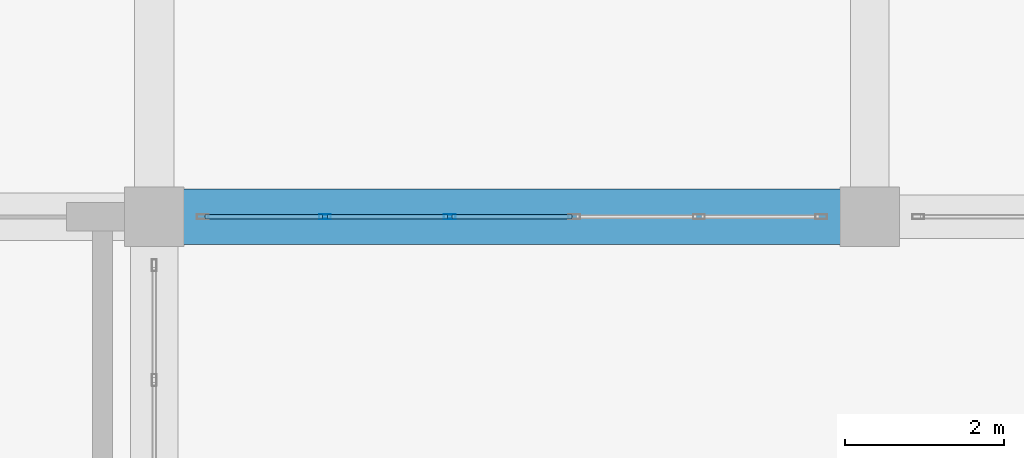
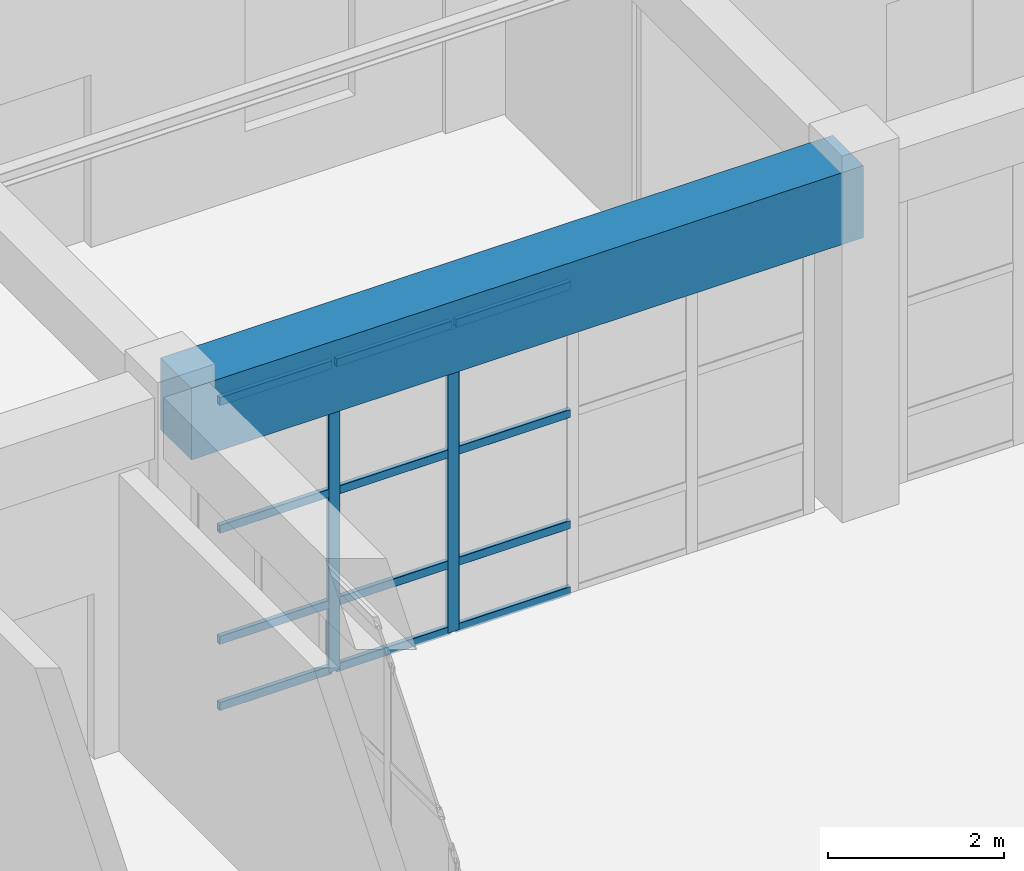
# One storey, part 26 of 128: 14 members, 1 beam, 1 element without a shape of its own.
"""IFC4 building model written with IfcOpenShell, lengths in metres."""

from ifc_helpers import new_model, si_unit, direction, frame, origin, origin_2d, place, context, subcontext, project, spatial, rectangle, hollow_rectangle, extrude, material, material_profile, profile_set, type_object, element, aggregate, save


model = new_model("IFC4")

# Units and contexts
model_context = context("Model", 3, precision=1e-05, world=origin(), true_north=direction((0.0, 1.0)))
body_context = subcontext(model_context, "Body", "Model", "MODEL_VIEW")
ifc_project = project(units=[si_unit("LENGTHUNIT", "METRE"), si_unit("AREAUNIT", "SQUARE_METRE"), si_unit("VOLUMEUNIT", "CUBIC_METRE"), si_unit("PLANEANGLEUNIT", "RADIAN"), si_unit("MASSUNIT", "GRAM", prefix="KILO")], contexts=[model_context])

# Site, building, storey
site_placement = place(None, origin())
site = spatial("IfcSite", under=ifc_project, at=site_placement, CompositionType="ELEMENT")
building_placement = place(site_placement, origin())
building = spatial("IfcBuilding", under=site, at=building_placement, Name="Miravela Opera House", CompositionType="ELEMENT")
storey_placement = place(building_placement, origin())
storey = spatial("IfcBuildingStorey", under=building, at=storey_placement, Name="L00", CompositionType="ELEMENT", Elevation=0.0)

# Curtain wall, members
ifc_material_1 = material(Name="Anodised architectural bronze aluminium 6063-T6", Category="aluminium")
curtain_wall_type = type_object("IfcCurtainWallType", Name="ARC-CW-06", PredefinedType="NOTDEFINED", material=ifc_material_1)
curtain_wall_placement = place(storey_placement, origin())
curtain_wall = element("IfcCurtainWall", 1, at=curtain_wall_placement, inside=storey, type_object=curtain_wall_type, Name="Courtyard Arcade Curtain Wall CW-L00-113", PredefinedType="NOTDEFINED")
ifc_material_profile_1 = material_profile(ifc_material_1, hollow_rectangle(XDim=0.06005859375, YDim=0.14990234375, WallThickness=0.00390625, InnerFilletRadius=0.001953125, OuterFilletRadius=0.00390625, at=origin_2d()), Name="CWM-60X150")
ifc_profile_set_1 = profile_set([ifc_material_profile_1])
member_type_1 = type_object("IfcMemberType", Name="ARC-CWM-150", PredefinedType="MULLION", material=ifc_profile_set_1)
member_1_placement = place(storey_placement, frame((29.14794921875, 28.0, 0.0), z_axis=(0.0, 0.0, 1.0), x_axis=(0.0, 1.0, 0.0)))
member_1 = element("IfcMember", 2, at=member_1_placement, type_object=member_type_1, Name="CW-06 mullion 2", PredefinedType="MULLION", context=body_context, shape_type="SweptSolid", body=[
    extrude(hollow_rectangle(XDim=0.06005859375, YDim=0.14990234375, WallThickness=0.00390625, InnerFilletRadius=0.001953125, OuterFilletRadius=0.00390625, at=origin_2d()), origin(), (0.0, 0.0, 1.0), 4.300048828125),
])
member_2_placement = place(storey_placement, frame((30.716064453125, 28.0, 0.0), z_axis=(0.0, 0.0, 1.0), x_axis=(0.0, 1.0, 0.0)))
member_2 = element("IfcMember", 3, at=member_2_placement, type_object=member_type_1, Name="CW-06 mullion 3", PredefinedType="MULLION", context=body_context, shape_type="SweptSolid", body=[
    extrude(hollow_rectangle(XDim=0.06005859375, YDim=0.14990234375, WallThickness=0.00390625, InnerFilletRadius=0.001953125, OuterFilletRadius=0.00390625, at=origin_2d()), origin(), (0.0, 0.0, 1.0), 4.300048828125),
])
ifc_material_profile_2 = material_profile(ifc_material_1, hollow_rectangle(XDim=0.06005859375, YDim=0.114990234375, WallThickness=0.00390625, InnerFilletRadius=0.001953125, OuterFilletRadius=0.00390625, at=origin_2d()), Name="CWT-60X115")
ifc_profile_set_2 = profile_set([ifc_material_profile_2])
member_type_2 = type_object("IfcMemberType", Name="ARC-CWT-115", PredefinedType="USERDEFINED", material=ifc_profile_set_2)
member_3_placement = place(storey_placement, frame((27.639892578125, 28.0, 0.030029296875), z_axis=(1.0, 0.0, 0.0), x_axis=(0.0, 1.0, 0.0)))
member_3 = element("IfcMember", 4, at=member_3_placement, type_object=member_type_2, Name="CW-06 transom 1.1", ObjectType="TRANSOM", PredefinedType="USERDEFINED", context=body_context, shape_type="SweptSolid", body=[
    extrude(hollow_rectangle(XDim=0.06005859375, YDim=0.114990234375, WallThickness=0.00390625, InnerFilletRadius=0.001953125, OuterFilletRadius=0.00390625, at=origin_2d()), origin(), (0.0, 0.0, 1.0), 1.47802734375),
])
member_4_placement = place(storey_placement, frame((27.639892578125, 28.0, 0.949951171875), z_axis=(1.0, 0.0, 0.0), x_axis=(0.0, 1.0, 0.0)))
member_4 = element("IfcMember", 5, at=member_4_placement, type_object=member_type_2, Name="CW-06 transom 1.2", ObjectType="TRANSOM", PredefinedType="USERDEFINED", context=body_context, shape_type="SweptSolid", body=[
    extrude(hollow_rectangle(XDim=0.06005859375, YDim=0.114990234375, WallThickness=0.00390625, InnerFilletRadius=0.001953125, OuterFilletRadius=0.00390625, at=origin_2d()), origin(), (0.0, 0.0, 1.0), 1.47802734375),
])
member_5_placement = place(storey_placement, frame((27.639892578125, 28.0, 2.493896484375), z_axis=(1.0, 0.0, 0.0), x_axis=(0.0, 1.0, 0.0)))
member_5 = element("IfcMember", 6, at=member_5_placement, type_object=member_type_2, Name="CW-06 transom 1.3", ObjectType="TRANSOM", PredefinedType="USERDEFINED", context=body_context, shape_type="SweptSolid", body=[
    extrude(hollow_rectangle(XDim=0.06005859375, YDim=0.114990234375, WallThickness=0.00390625, InnerFilletRadius=0.001953125, OuterFilletRadius=0.00390625, at=origin_2d()), origin(), (0.0, 0.0, 1.0), 1.47802734375),
])
member_6_placement = place(storey_placement, frame((27.639892578125, 28.0, 4.27001953125), z_axis=(1.0, 0.0, 0.0), x_axis=(0.0, 1.0, 0.0)))
member_6 = element("IfcMember", 7, at=member_6_placement, type_object=member_type_2, Name="CW-06 transom 1.4", ObjectType="TRANSOM", PredefinedType="USERDEFINED", context=body_context, shape_type="SweptSolid", body=[
    extrude(hollow_rectangle(XDim=0.06005859375, YDim=0.114990234375, WallThickness=0.00390625, InnerFilletRadius=0.001953125, OuterFilletRadius=0.00390625, at=origin_2d()), origin(), (0.0, 0.0, 1.0), 1.47802734375),
])
member_7_placement = place(storey_placement, frame((29.177978515625, 28.0, 0.030029296875), z_axis=(1.0, 0.0, 0.0), x_axis=(0.0, 1.0, 0.0)))
member_7 = element("IfcMember", 8, at=member_7_placement, type_object=member_type_2, Name="CW-06 transom 2.1", ObjectType="TRANSOM", PredefinedType="USERDEFINED", context=body_context, shape_type="SweptSolid", body=[
    extrude(hollow_rectangle(XDim=0.06005859375, YDim=0.114990234375, WallThickness=0.00390625, InnerFilletRadius=0.001953125, OuterFilletRadius=0.00390625, at=origin_2d()), origin(), (0.0, 0.0, 1.0), 1.508056640625),
])
member_8_placement = place(storey_placement, frame((29.177978515625, 28.0, 0.949951171875), z_axis=(1.0, 0.0, 0.0), x_axis=(0.0, 1.0, 0.0)))
member_8 = element("IfcMember", 9, at=member_8_placement, type_object=member_type_2, Name="CW-06 transom 2.2", ObjectType="TRANSOM", PredefinedType="USERDEFINED", context=body_context, shape_type="SweptSolid", body=[
    extrude(hollow_rectangle(XDim=0.06005859375, YDim=0.114990234375, WallThickness=0.00390625, InnerFilletRadius=0.001953125, OuterFilletRadius=0.00390625, at=origin_2d()), origin(), (0.0, 0.0, 1.0), 1.508056640625),
])
member_9_placement = place(storey_placement, frame((29.177978515625, 28.0, 2.493896484375), z_axis=(1.0, 0.0, 0.0), x_axis=(0.0, 1.0, 0.0)))
member_9 = element("IfcMember", 10, at=member_9_placement, type_object=member_type_2, Name="CW-06 transom 2.3", ObjectType="TRANSOM", PredefinedType="USERDEFINED", context=body_context, shape_type="SweptSolid", body=[
    extrude(hollow_rectangle(XDim=0.06005859375, YDim=0.114990234375, WallThickness=0.00390625, InnerFilletRadius=0.001953125, OuterFilletRadius=0.00390625, at=origin_2d()), origin(), (0.0, 0.0, 1.0), 1.508056640625),
])
member_10_placement = place(storey_placement, frame((29.177978515625, 28.0, 4.27001953125), z_axis=(1.0, 0.0, 0.0), x_axis=(0.0, 1.0, 0.0)))
member_10 = element("IfcMember", 11, at=member_10_placement, type_object=member_type_2, Name="CW-06 transom 2.4", ObjectType="TRANSOM", PredefinedType="USERDEFINED", context=body_context, shape_type="SweptSolid", body=[
    extrude(hollow_rectangle(XDim=0.06005859375, YDim=0.114990234375, WallThickness=0.00390625, InnerFilletRadius=0.001953125, OuterFilletRadius=0.00390625, at=origin_2d()), origin(), (0.0, 0.0, 1.0), 1.508056640625),
])
member_11_placement = place(storey_placement, frame((30.74609375, 28.0, 0.030029296875), z_axis=(1.0, 0.0, 0.0), x_axis=(0.0, 1.0, 0.0)))
member_11 = element("IfcMember", 12, at=member_11_placement, type_object=member_type_2, Name="CW-06 transom 3.1", ObjectType="TRANSOM", PredefinedType="USERDEFINED", context=body_context, shape_type="SweptSolid", body=[
    extrude(hollow_rectangle(XDim=0.06005859375, YDim=0.114990234375, WallThickness=0.00390625, InnerFilletRadius=0.001953125, OuterFilletRadius=0.00390625, at=origin_2d()), origin(), (0.0, 0.0, 1.0), 1.5078125),
])
member_12_placement = place(storey_placement, frame((30.74609375, 28.0, 0.949951171875), z_axis=(1.0, 0.0, 0.0), x_axis=(0.0, 1.0, 0.0)))
member_12 = element("IfcMember", 13, at=member_12_placement, type_object=member_type_2, Name="CW-06 transom 3.2", ObjectType="TRANSOM", PredefinedType="USERDEFINED", context=body_context, shape_type="SweptSolid", body=[
    extrude(hollow_rectangle(XDim=0.06005859375, YDim=0.114990234375, WallThickness=0.00390625, InnerFilletRadius=0.001953125, OuterFilletRadius=0.00390625, at=origin_2d()), origin(), (0.0, 0.0, 1.0), 1.5078125),
])
member_13_placement = place(storey_placement, frame((30.74609375, 28.0, 2.493896484375), z_axis=(1.0, 0.0, 0.0), x_axis=(0.0, 1.0, 0.0)))
member_13 = element("IfcMember", 14, at=member_13_placement, type_object=member_type_2, Name="CW-06 transom 3.3", ObjectType="TRANSOM", PredefinedType="USERDEFINED", context=body_context, shape_type="SweptSolid", body=[
    extrude(hollow_rectangle(XDim=0.06005859375, YDim=0.114990234375, WallThickness=0.00390625, InnerFilletRadius=0.001953125, OuterFilletRadius=0.00390625, at=origin_2d()), origin(), (0.0, 0.0, 1.0), 1.5078125),
])
member_14_placement = place(storey_placement, frame((30.74609375, 28.0, 4.27001953125), z_axis=(1.0, 0.0, 0.0), x_axis=(0.0, 1.0, 0.0)))
member_14 = element("IfcMember", 15, at=member_14_placement, type_object=member_type_2, Name="CW-06 transom 3.4", ObjectType="TRANSOM", PredefinedType="USERDEFINED", context=body_context, shape_type="SweptSolid", body=[
    extrude(hollow_rectangle(XDim=0.06005859375, YDim=0.114990234375, WallThickness=0.00390625, InnerFilletRadius=0.001953125, OuterFilletRadius=0.00390625, at=origin_2d()), origin(), (0.0, 0.0, 1.0), 1.5078125),
])
aggregate(curtain_wall, [member_1, member_2, member_3, member_4, member_5, member_6, member_7, member_8, member_9, member_10, member_11, member_12, member_13, member_14])

# Beam
ifc_material_2 = material(Name="Concrete C40/50", Category="concrete")
ifc_material_profile_3 = material_profile(ifc_material_2, rectangle(XDim=0.699951171875, YDim=1.0, at=origin_2d()), Name="RC-BM-700X1000")
ifc_profile_set_3 = profile_set([ifc_material_profile_3])
beam_type = type_object("IfcBeamType", Name="STR-BM-RC700X1000", PredefinedType="BEAM", material=ifc_profile_set_3)
beam_placement = place(storey_placement, frame((27.080078125, 28.0, 4.35009765625), z_axis=(1.0, 0.0, 0.0), x_axis=(0.0, 1.0, 0.0)))
element("IfcBeam", 16, at=beam_placement, inside=storey, type_object=beam_type, Name="Floor Girder L00 4-5/D", PredefinedType="BEAM", context=body_context, shape_type="SweptSolid", body=[
    extrude(rectangle(XDim=0.699951171875, YDim=1.0, at=origin_2d()), origin(), (0.0, 0.0, 1.0), 8.83984375),
])

save(model, "model.ifc")
